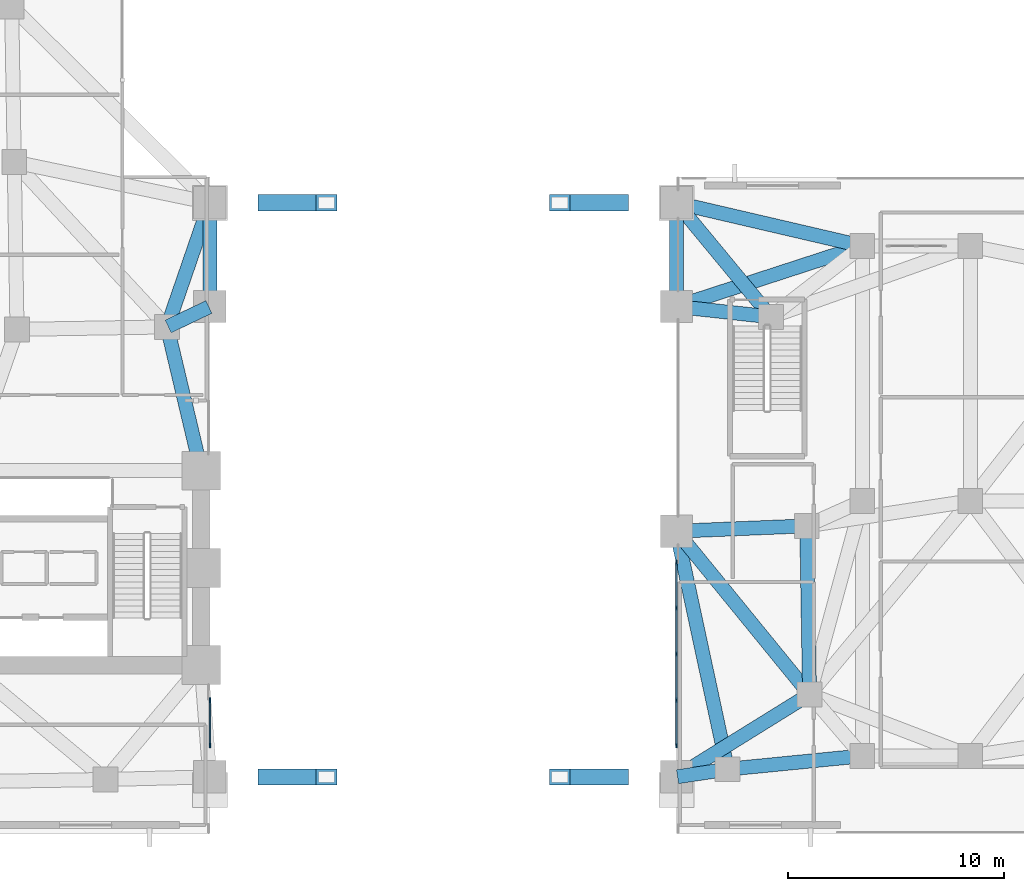
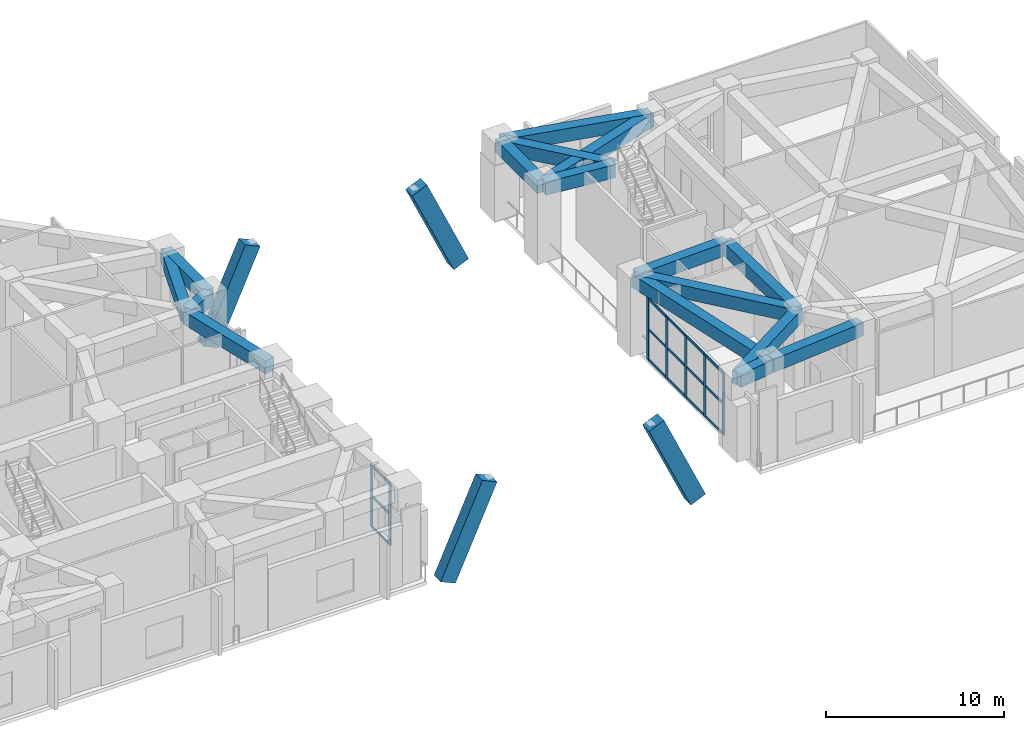
# One storey, part 2 of 18: 22 members, 20 beams, 2 elements without a shape of their own.
"""IFC4 building model written with IfcOpenShell, lengths in metres."""

from ifc_helpers import new_model, si_unit, direction, frame, origin, origin_2d, place, context, subcontext, project, spatial, rectangle, extrude, material, material_profile, profile_set, type_object, element, aggregate, save


model = new_model("IFC4")

# Units and contexts
model_context = context("Model", 3, precision=1e-05, world=origin(), true_north=direction((0.0, 1.0)))
body_context = subcontext(model_context, "Body", "Model", "MODEL_VIEW")
ifc_project = project(units=[si_unit("LENGTHUNIT", "METRE"), si_unit("AREAUNIT", "SQUARE_METRE"), si_unit("VOLUMEUNIT", "CUBIC_METRE"), si_unit("PLANEANGLEUNIT", "RADIAN"), si_unit("MASSUNIT", "GRAM", prefix="KILO")], contexts=[model_context])

# Site, building, storey
site_placement = place(None, origin())
site = spatial("IfcSite", under=ifc_project, at=site_placement, CompositionType="ELEMENT")
building_placement = place(site_placement, origin())
building = spatial("IfcBuilding", under=site, at=building_placement, Name="Gaonmaruhae Medical Tower", CompositionType="ELEMENT")
storey_placement = place(building_placement, frame((0.0, 0.0, 16.199951171875)))
storey = spatial("IfcBuildingStorey", under=building, at=storey_placement, Name="L03", CompositionType="ELEMENT", Elevation=16.199951171875)

# Beams
ifc_material_1 = material(Name="Concrete C60/75", Category="concrete")
ifc_material_profile_1 = material_profile(ifc_material_1, rectangle(XDim=0.75, YDim=1.050048828125, at=origin_2d()), Name="RCG-750x1050")
ifc_profile_set_1 = profile_set([ifc_material_profile_1], Name="Concrete C60/75")
beam_type_1 = type_object("IfcBeamType", Name="AG-01 Portal Arch Rib Girder (RCG-750x1050)", PredefinedType="BEAM", material=ifc_profile_set_1)
for number, where, z_axis, x_axis, name in (
    (1, (38.699951171875, 2.6259765625, -2.39990234375), (0.410358505794, 0.0, 0.91192428234), (0.0, 1.0, 0.0), "Portal Arch Faceted Rib S02"),
    (2, (52.199951171875, 2.6259765625, 3.60009765625), (0.410358505794, 0.0, -0.91192428234), (0.0, 1.0, 0.0), "Portal Arch Faceted Rib S07"),
    (3, (38.699951171875, 29.199951171875, -2.39990234375), (0.410358505794, 0.0, 0.91192428234), (0.0, 1.0, 0.0), "Portal Arch Faceted Rib N02"),
    (4, (52.199951171875, 29.199951171875, 3.60009765625), (0.410358505794, 0.0, -0.91192428234), (0.0, 1.0, 0.0), "Portal Arch Faceted Rib N07"),
):
    element("IfcBeam", number, at=place(storey_placement, frame(where, z_axis=z_axis, x_axis=x_axis)), inside=storey, type_object=beam_type_1, Name=name, PredefinedType="BEAM", context=body_context, shape_type="SweptSolid", body=[
        extrude(rectangle(XDim=0.75, YDim=1.050048828125, at=origin_2d()), origin(), (0.0, 0.0, 1.0), 6.57958984375),
    ])

# Curtain wall, members
ifc_material_2 = material(Name="Anodised aluminium and Low-E double glazing", Category="aluminium")
curtain_wall_type = type_object("IfcCurtainWallType", Name="CW-S1 Portal Arch Concourse Curtain Wall", PredefinedType="NOTDEFINED", material=ifc_material_2)
curtain_wall_1_placement = place(storey_placement, origin())
curtain_wall_1 = element("IfcCurtainWall", 5, at=curtain_wall_1_placement, inside=storey, type_object=curtain_wall_type, Name="L03 Curtain Wall CW-L03-S1W", PredefinedType="NOTDEFINED")
ifc_material_3 = material(Name="Anodised aluminium 6063-T6", Category="aluminium")
ifc_material_profile_2 = material_profile(ifc_material_3, rectangle(XDim=0.074951171875, YDim=0.219970703125, at=origin_2d()), Name="CWM-75x220")
ifc_profile_set_2 = profile_set([ifc_material_profile_2], Name="Anodised aluminium 6063-T6")
member_type_1 = type_object("IfcMemberType", Name="CWM-1 Heavy Atrium Curtain Wall Mullion (CWM-75x220)", PredefinedType="MULLION", material=ifc_profile_set_2)
member_1_placement = place(storey_placement, frame((36.0, 4.084228515625, 0.0), z_axis=(0.0, 0.0, 1.0), x_axis=(-1.0, 0.0, 0.0)))
member_1 = element("IfcMember", 6, at=member_1_placement, type_object=member_type_1, Name="CW-S1 mullion 1", PredefinedType="MULLION", context=body_context, shape_type="SweptSolid", body=[
    extrude(rectangle(XDim=0.074951171875, YDim=0.219970703125, at=origin_2d()), origin(), (0.0, 0.0, 1.0), 4.22998046875),
])
member_2_placement = place(storey_placement, frame((36.0, 6.179443359375, 0.0), z_axis=(0.0, 0.0, 1.0), x_axis=(-1.0, 0.0, 0.0)))
member_2 = element("IfcMember", 7, at=member_2_placement, type_object=member_type_1, Name="CW-S1 mullion 2", PredefinedType="MULLION", context=body_context, shape_type="SweptSolid", body=[
    extrude(rectangle(XDim=0.074951171875, YDim=0.219970703125, at=origin_2d()), origin(), (0.0, 0.0, 1.0), 4.22998046875),
])

curtain_wall_2_placement = place(storey_placement, origin())
curtain_wall_2 = element("IfcCurtainWall", 8, at=curtain_wall_2_placement, inside=storey, type_object=curtain_wall_type, Name="L03 Curtain Wall CW-L03-S1E", PredefinedType="NOTDEFINED")
member_3_placement = place(storey_placement, frame((57.60009765625, 4.084228515625, 0.0), z_axis=(0.0, 0.0, 1.0), x_axis=(-1.0, 0.0, 0.0)))
member_3 = element("IfcMember", 9, at=member_3_placement, type_object=member_type_1, Name="CW-S1 mullion 1", PredefinedType="MULLION", context=body_context, shape_type="SweptSolid", body=[
    extrude(rectangle(XDim=0.074951171875, YDim=0.219970703125, at=origin_2d()), origin(), (0.0, 0.0, 1.0), 4.22998046875),
])
member_4_placement = place(storey_placement, frame((57.60009765625, 6.179931640625, 0.0), z_axis=(0.0, 0.0, 1.0), x_axis=(-1.0, 0.0, 0.0)))
member_4 = element("IfcMember", 10, at=member_4_placement, type_object=member_type_1, Name="CW-S1 mullion 2", PredefinedType="MULLION", context=body_context, shape_type="SweptSolid", body=[
    extrude(rectangle(XDim=0.074951171875, YDim=0.219970703125, at=origin_2d()), origin(), (0.0, 0.0, 1.0), 4.22998046875),
])
member_5_placement = place(storey_placement, frame((57.60009765625, 8.31298828125, 0.0), z_axis=(0.0, 0.0, 1.0), x_axis=(-1.0, 0.0, 0.0)))
member_5 = element("IfcMember", 11, at=member_5_placement, type_object=member_type_1, Name="CW-S1 mullion 3", PredefinedType="MULLION", context=body_context, shape_type="SweptSolid", body=[
    extrude(rectangle(XDim=0.074951171875, YDim=0.219970703125, at=origin_2d()), origin(), (0.0, 0.0, 1.0), 4.22998046875),
])
member_6_placement = place(storey_placement, frame((57.60009765625, 10.446044921875, 0.0), z_axis=(0.0, 0.0, 1.0), x_axis=(-1.0, 0.0, 0.0)))
member_6 = element("IfcMember", 12, at=member_6_placement, type_object=member_type_1, Name="CW-S1 mullion 4", PredefinedType="MULLION", context=body_context, shape_type="SweptSolid", body=[
    extrude(rectangle(XDim=0.074951171875, YDim=0.219970703125, at=origin_2d()), origin(), (0.0, 0.0, 1.0), 4.22998046875),
])
member_7_placement = place(storey_placement, frame((57.60009765625, 12.541748046875, 0.0), z_axis=(0.0, 0.0, 1.0), x_axis=(-1.0, 0.0, 0.0)))
member_7 = element("IfcMember", 13, at=member_7_placement, type_object=member_type_1, Name="CW-S1 mullion 5", PredefinedType="MULLION", context=body_context, shape_type="SweptSolid", body=[
    extrude(rectangle(XDim=0.074951171875, YDim=0.219970703125, at=origin_2d()), origin(), (0.0, 0.0, 1.0), 4.22998046875),
])

# Member
ifc_material_profile_3 = material_profile(ifc_material_3, rectangle(XDim=0.074951171875, YDim=0.159912109375, at=origin_2d()), Name="CWT-75x160")
ifc_profile_set_3 = profile_set([ifc_material_profile_3], Name="Anodised aluminium 6063-T6")
member_type_2 = type_object("IfcMemberType", Name="CWT-1 Heavy Atrium Curtain Wall Transom (CWT-75x160)", PredefinedType="USERDEFINED", material=ifc_profile_set_3)
member_8_placement = place(storey_placement, frame((36.0, 4.12158203125, 0.03759765625), z_axis=(0.0, 1.0, 0.0), x_axis=(-1.0, 0.0, 0.0)))
member_8 = element("IfcMember", 14, at=member_8_placement, type_object=member_type_2, Name="CW-S1 transom 1.1", ObjectType="TRANSOM", PredefinedType="USERDEFINED", context=body_context, shape_type="SweptSolid", body=[
    extrude(rectangle(XDim=0.074951171875, YDim=0.159912109375, at=origin_2d()), origin(), (0.0, 0.0, 1.0), 2.0205078125),
])

member_9_placement = place(storey_placement, frame((36.0, 4.12158203125, 2.114990234375), z_axis=(0.0, 1.0, 0.0), x_axis=(-1.0, 0.0, 0.0)))
member_9 = element("IfcMember", 15, at=member_9_placement, type_object=member_type_2, Name="CW-S1 transom 1.2", ObjectType="TRANSOM", PredefinedType="USERDEFINED", context=body_context, shape_type="SweptSolid", body=[
    extrude(rectangle(XDim=0.074951171875, YDim=0.159912109375, at=origin_2d()), origin(), (0.0, 0.0, 1.0), 2.0205078125),
])

member_10_placement = place(storey_placement, frame((36.0, 4.12158203125, 4.192626953125), z_axis=(0.0, 1.0, 0.0), x_axis=(-1.0, 0.0, 0.0)))
member_10 = element("IfcMember", 16, at=member_10_placement, type_object=member_type_2, Name="CW-S1 transom 1.3", ObjectType="TRANSOM", PredefinedType="USERDEFINED", context=body_context, shape_type="SweptSolid", body=[
    extrude(rectangle(XDim=0.074951171875, YDim=0.159912109375, at=origin_2d()), origin(), (0.0, 0.0, 1.0), 2.0205078125),
])

aggregate(curtain_wall_1, [member_1, member_2, member_8, member_9, member_10])

member_11_placement = place(storey_placement, frame((57.60009765625, 4.12158203125, 0.03759765625), z_axis=(0.0, 1.0, 0.0), x_axis=(-1.0, 0.0, 0.0)))
member_11 = element("IfcMember", 17, at=member_11_placement, type_object=member_type_2, Name="CW-S1 transom 1.1", ObjectType="TRANSOM", PredefinedType="USERDEFINED", context=body_context, shape_type="SweptSolid", body=[
    extrude(rectangle(XDim=0.074951171875, YDim=0.159912109375, at=origin_2d()), origin(), (0.0, 0.0, 1.0), 2.020751953125),
])

member_12_placement = place(storey_placement, frame((57.60009765625, 4.12158203125, 2.114990234375), z_axis=(0.0, 1.0, 0.0), x_axis=(-1.0, 0.0, 0.0)))
member_12 = element("IfcMember", 18, at=member_12_placement, type_object=member_type_2, Name="CW-S1 transom 1.2", ObjectType="TRANSOM", PredefinedType="USERDEFINED", context=body_context, shape_type="SweptSolid", body=[
    extrude(rectangle(XDim=0.074951171875, YDim=0.159912109375, at=origin_2d()), origin(), (0.0, 0.0, 1.0), 2.020751953125),
])

member_13_placement = place(storey_placement, frame((57.60009765625, 4.12158203125, 4.192626953125), z_axis=(0.0, 1.0, 0.0), x_axis=(-1.0, 0.0, 0.0)))
member_13 = element("IfcMember", 19, at=member_13_placement, type_object=member_type_2, Name="CW-S1 transom 1.3", ObjectType="TRANSOM", PredefinedType="USERDEFINED", context=body_context, shape_type="SweptSolid", body=[
    extrude(rectangle(XDim=0.074951171875, YDim=0.159912109375, at=origin_2d()), origin(), (0.0, 0.0, 1.0), 2.020751953125),
])

member_14_placement = place(storey_placement, frame((57.60009765625, 6.21728515625, 0.03759765625), z_axis=(0.0, 1.0, 0.0), x_axis=(-1.0, 0.0, 0.0)))
member_14 = element("IfcMember", 20, at=member_14_placement, type_object=member_type_2, Name="CW-S1 transom 2.1", ObjectType="TRANSOM", PredefinedType="USERDEFINED", context=body_context, shape_type="SweptSolid", body=[
    extrude(rectangle(XDim=0.074951171875, YDim=0.159912109375, at=origin_2d()), origin(), (0.0, 0.0, 1.0), 2.05810546875),
])

member_15_placement = place(storey_placement, frame((57.60009765625, 6.21728515625, 2.114990234375), z_axis=(0.0, 1.0, 0.0), x_axis=(-1.0, 0.0, 0.0)))
member_15 = element("IfcMember", 21, at=member_15_placement, type_object=member_type_2, Name="CW-S1 transom 2.2", ObjectType="TRANSOM", PredefinedType="USERDEFINED", context=body_context, shape_type="SweptSolid", body=[
    extrude(rectangle(XDim=0.074951171875, YDim=0.159912109375, at=origin_2d()), origin(), (0.0, 0.0, 1.0), 2.05810546875),
])

member_16_placement = place(storey_placement, frame((57.60009765625, 6.21728515625, 4.192626953125), z_axis=(0.0, 1.0, 0.0), x_axis=(-1.0, 0.0, 0.0)))
member_16 = element("IfcMember", 22, at=member_16_placement, type_object=member_type_2, Name="CW-S1 transom 2.3", ObjectType="TRANSOM", PredefinedType="USERDEFINED", context=body_context, shape_type="SweptSolid", body=[
    extrude(rectangle(XDim=0.074951171875, YDim=0.159912109375, at=origin_2d()), origin(), (0.0, 0.0, 1.0), 2.05810546875),
])

member_17_placement = place(storey_placement, frame((57.60009765625, 8.3505859375, 0.03759765625), z_axis=(0.0, 1.0, 0.0), x_axis=(-1.0, 0.0, 0.0)))
member_17 = element("IfcMember", 23, at=member_17_placement, type_object=member_type_2, Name="CW-S1 transom 3.1", ObjectType="TRANSOM", PredefinedType="USERDEFINED", context=body_context, shape_type="SweptSolid", body=[
    extrude(rectangle(XDim=0.074951171875, YDim=0.159912109375, at=origin_2d()), origin(), (0.0, 0.0, 1.0), 2.05810546875),
])

member_18_placement = place(storey_placement, frame((57.60009765625, 8.3505859375, 2.114990234375), z_axis=(0.0, 1.0, 0.0), x_axis=(-1.0, 0.0, 0.0)))
member_18 = element("IfcMember", 24, at=member_18_placement, type_object=member_type_2, Name="CW-S1 transom 3.2", ObjectType="TRANSOM", PredefinedType="USERDEFINED", context=body_context, shape_type="SweptSolid", body=[
    extrude(rectangle(XDim=0.074951171875, YDim=0.159912109375, at=origin_2d()), origin(), (0.0, 0.0, 1.0), 2.05810546875),
])

member_19_placement = place(storey_placement, frame((57.60009765625, 8.3505859375, 4.192626953125), z_axis=(0.0, 1.0, 0.0), x_axis=(-1.0, 0.0, 0.0)))
member_19 = element("IfcMember", 25, at=member_19_placement, type_object=member_type_2, Name="CW-S1 transom 3.3", ObjectType="TRANSOM", PredefinedType="USERDEFINED", context=body_context, shape_type="SweptSolid", body=[
    extrude(rectangle(XDim=0.074951171875, YDim=0.159912109375, at=origin_2d()), origin(), (0.0, 0.0, 1.0), 2.05810546875),
])

member_20_placement = place(storey_placement, frame((57.60009765625, 10.483642578125, 0.03759765625), z_axis=(0.0, 1.0, 0.0), x_axis=(-1.0, 0.0, 0.0)))
member_20 = element("IfcMember", 26, at=member_20_placement, type_object=member_type_2, Name="CW-S1 transom 4.1", ObjectType="TRANSOM", PredefinedType="USERDEFINED", context=body_context, shape_type="SweptSolid", body=[
    extrude(rectangle(XDim=0.074951171875, YDim=0.159912109375, at=origin_2d()), origin(), (0.0, 0.0, 1.0), 2.020751953125),
])

member_21_placement = place(storey_placement, frame((57.60009765625, 10.483642578125, 2.114990234375), z_axis=(0.0, 1.0, 0.0), x_axis=(-1.0, 0.0, 0.0)))
member_21 = element("IfcMember", 27, at=member_21_placement, type_object=member_type_2, Name="CW-S1 transom 4.2", ObjectType="TRANSOM", PredefinedType="USERDEFINED", context=body_context, shape_type="SweptSolid", body=[
    extrude(rectangle(XDim=0.074951171875, YDim=0.159912109375, at=origin_2d()), origin(), (0.0, 0.0, 1.0), 2.020751953125),
])

member_22_placement = place(storey_placement, frame((57.60009765625, 10.483642578125, 4.192626953125), z_axis=(0.0, 1.0, 0.0), x_axis=(-1.0, 0.0, 0.0)))
member_22 = element("IfcMember", 28, at=member_22_placement, type_object=member_type_2, Name="CW-S1 transom 4.3", ObjectType="TRANSOM", PredefinedType="USERDEFINED", context=body_context, shape_type="SweptSolid", body=[
    extrude(rectangle(XDim=0.074951171875, YDim=0.159912109375, at=origin_2d()), origin(), (0.0, 0.0, 1.0), 2.020751953125),
])

aggregate(curtain_wall_2, [member_3, member_4, member_5, member_6, member_7, member_11, member_12, member_13, member_14, member_15, member_16, member_17, member_18, member_19, member_20, member_21, member_22])

# Beams
ifc_material_4 = material(Name="Concrete C50/60", Category="concrete")
ifc_material_profile_4 = material_profile(ifc_material_4, rectangle(XDim=0.64990234375, YDim=0.89990234375, at=origin_2d()), Name="RCG-650x900")
ifc_profile_set_4 = profile_set([ifc_material_profile_4], Name="Concrete C50/60")
beam_type_2 = type_object("IfcBeamType", Name="RG-01 Podium Primary RC Girder (RCG-650x900)", PredefinedType="BEAM", material=ifc_profile_set_4)
beam_1_placement = place(storey_placement, frame((57.6494140625, 2.633544921875, 4.699951171875), z_axis=(0.988739394413, 0.149647619213, 0.0), x_axis=(-0.149647619213, 0.988739394413, 0.0)))
element("IfcBeam", 29, at=beam_1_placement, inside=storey, type_object=beam_type_2, Name="L03 Beam BM-L03-PG003", PredefinedType="BEAM", context=body_context, shape_type="SweptSolid", body=[
    extrude(rectangle(XDim=0.64990234375, YDim=0.89990234375, at=origin_2d()), origin(), (0.0, 0.0, 1.0), 2.292236328125),
])
beam_2_placement = place(storey_placement, frame((57.642578125, 2.65234375, 4.699951171875), z_axis=(0.849690298429, 0.527282084614, 0.0), x_axis=(-0.527282084614, 0.849690298429, 0.0)))
element("IfcBeam", 30, at=beam_2_placement, inside=storey, type_object=beam_type_2, Name="L03 Beam BM-L03-PG004", PredefinedType="BEAM", context=body_context, shape_type="SweptSolid", body=[
    extrude(rectangle(XDim=0.64990234375, YDim=0.89990234375, at=origin_2d()), origin(), (0.0, 0.0, 1.0), 7.147705078125),
])
beam_3_placement = place(storey_placement, frame((57.64990234375, 14.001953125, 4.699951171875), z_axis=(0.999165142421, 0.04085361881, 0.0), x_axis=(-0.04085361881, 0.999165142421, 0.0)))
element("IfcBeam", 31, at=beam_3_placement, inside=storey, type_object=beam_type_2, Name="L03 Beam BM-L03-PG005", PredefinedType="BEAM", context=body_context, shape_type="SweptSolid", body=[
    extrude(rectangle(XDim=0.64990234375, YDim=0.89990234375, at=origin_2d()), origin(), (0.0, 0.0, 1.0), 5.93408203125),
])
beam_4_placement = place(storey_placement, frame((57.631591796875, 13.961181640625, 4.699951171875), z_axis=(0.631959132542, -0.77500171277, 0.0), x_axis=(0.77500171277, 0.631959132542, 0.0)))
element("IfcBeam", 32, at=beam_4_placement, inside=storey, type_object=beam_type_2, Name="L03 Beam BM-L03-PG006", PredefinedType="BEAM", context=body_context, shape_type="SweptSolid", body=[
    extrude(rectangle(XDim=0.64990234375, YDim=0.89990234375, at=origin_2d()), origin(), (0.0, 0.0, 1.0), 9.64501953125),
])
beam_5_placement = place(storey_placement, frame((35.954833984375, 24.37841796875, 4.699951171875), z_axis=(-0.902607868555, -0.430463744841, 0.0), x_axis=(0.430463744841, -0.902607868555, 0.0)))
element("IfcBeam", 33, at=beam_5_placement, inside=storey, type_object=beam_type_2, Name="L03 Beam BM-L03-PG007", PredefinedType="BEAM", context=body_context, shape_type="SweptSolid", body=[
    extrude(rectangle(XDim=0.64990234375, YDim=0.89990234375, at=origin_2d()), origin(), (0.0, 0.0, 1.0), 2.091064453125),
])
beam_6_placement = place(storey_placement, frame((36.0, 24.449951171875, 4.699951171875), z_axis=(0.0, 1.0, 0.0), x_axis=(-1.0, 0.0, 0.0)))
element("IfcBeam", 34, at=beam_6_placement, inside=storey, type_object=beam_type_2, Name="L03 Beam BM-L03-PG008", PredefinedType="BEAM", context=body_context, shape_type="SweptSolid", body=[
    extrude(rectangle(XDim=0.64990234375, YDim=0.89990234375, at=origin_2d()), origin(), (0.0, 0.0, 1.0), 4.699951171875),
])
beam_7_placement = place(storey_placement, frame((57.649658203125, 24.39453125, 4.699951171875), z_axis=(0.994019545115, -0.109202307341, 0.0), x_axis=(0.109202307341, 0.994019545115, 0.0)))
element("IfcBeam", 35, at=beam_7_placement, inside=storey, type_object=beam_type_2, Name="L03 Beam BM-L03-PG009", PredefinedType="BEAM", context=body_context, shape_type="SweptSolid", body=[
    extrude(rectangle(XDim=0.64990234375, YDim=0.89990234375, at=origin_2d()), origin(), (0.0, 0.0, 1.0), 4.294677734375),
])
beam_8_placement = place(storey_placement, frame((57.60009765625, 24.449951171875, 4.699951171875), z_axis=(0.0, 1.0, 0.0), x_axis=(-1.0, 0.0, 0.0)))
element("IfcBeam", 36, at=beam_8_placement, inside=storey, type_object=beam_type_2, Name="L03 Beam BM-L03-PG010", PredefinedType="BEAM", context=body_context, shape_type="SweptSolid", body=[
    extrude(rectangle(XDim=0.64990234375, YDim=0.89990234375, at=origin_2d()), origin(), (0.0, 0.0, 1.0), 4.699951171875),
])
beam_9_placement = place(storey_placement, frame((35.983642578125, 29.15283203125, 4.699951171875), z_axis=(-0.325578822882, -0.945514902099, 0.0), x_axis=(0.945514902099, -0.325578822882, 0.0)))
element("IfcBeam", 37, at=beam_9_placement, inside=storey, type_object=beam_type_2, Name="L03 Beam BM-L03-PG011", PredefinedType="BEAM", context=body_context, shape_type="SweptSolid", body=[
    extrude(rectangle(XDim=0.64990234375, YDim=0.89990234375, at=origin_2d()), origin(), (0.0, 0.0, 1.0), 5.97412109375),
])
beam_10_placement = place(storey_placement, frame((57.6318359375, 29.161376953125, 4.699951171875), z_axis=(0.63748483708, -0.770462901439, 0.0), x_axis=(0.770462901439, 0.63748483708, 0.0)))
element("IfcBeam", 38, at=beam_10_placement, inside=storey, type_object=beam_type_2, Name="L03 Beam BM-L03-PG013", PredefinedType="BEAM", context=body_context, shape_type="SweptSolid", body=[
    extrude(rectangle(XDim=0.64990234375, YDim=0.89990234375, at=origin_2d()), origin(), (0.0, 0.0, 1.0), 6.752685546875),
])
beam_11_placement = place(storey_placement, frame((57.648681640625, 29.188720703125, 4.699951171875), z_axis=(0.974009892436, -0.226505473306, 0.0), x_axis=(0.226505473306, 0.974009892436, 0.0)))
element("IfcBeam", 39, at=beam_11_placement, inside=storey, type_object=beam_type_2, Name="L03 Beam BM-L03-PG014", PredefinedType="BEAM", context=body_context, shape_type="SweptSolid", body=[
    extrude(rectangle(XDim=0.64990234375, YDim=0.89990234375, at=origin_2d()), origin(), (0.0, 0.0, 1.0), 8.7294921875),
])
beam_12_placement = place(storey_placement, frame((60.01513671875, 2.989013671875, 4.699951171875), z_axis=(0.995157611047, 0.098292060592, 0.0), x_axis=(-0.098292060592, 0.995157611047, 0.0)))
element("IfcBeam", 40, at=beam_12_placement, inside=storey, type_object=beam_type_2, Name="L03 Beam BM-L03-PG023", PredefinedType="BEAM", context=body_context, shape_type="SweptSolid", body=[
    extrude(rectangle(XDim=0.64990234375, YDim=0.89990234375, at=origin_2d()), origin(), (0.0, 0.0, 1.0), 6.164794921875),
])
beam_13_placement = place(storey_placement, frame((59.954833984375, 3.032958984375, 4.699951171875), z_axis=(-0.209924731401, 0.977717549779, 0.0), x_axis=(-0.977717549779, -0.209924731401, 0.0)))
element("IfcBeam", 41, at=beam_13_placement, inside=storey, type_object=beam_type_2, Name="L03 Beam BM-L03-PG024", PredefinedType="BEAM", context=body_context, shape_type="SweptSolid", body=[
    extrude(rectangle(XDim=0.64990234375, YDim=0.89990234375, at=origin_2d()), origin(), (0.0, 0.0, 1.0), 11.1669921875),
])
beam_14_placement = place(storey_placement, frame((63.757568359375, 6.49755859375, 4.699951171875), z_axis=(-0.016582992443, 0.999862492727, 0.0), x_axis=(-0.999862492727, -0.016582992443, 0.0)))
element("IfcBeam", 42, at=beam_14_placement, inside=storey, type_object=beam_type_2, Name="L03 Beam BM-L03-PG026", PredefinedType="BEAM", context=body_context, shape_type="SweptSolid", body=[
    extrude(rectangle(XDim=0.64990234375, YDim=0.89990234375, at=origin_2d()), origin(), (0.0, 0.0, 1.0), 7.69970703125),
])
beam_15_placement = place(storey_placement, frame((34.033935546875, 23.408203125, 4.699951171875), z_axis=(0.230587307936, -0.973051639647, 0.0), x_axis=(0.973051639647, 0.230587307936, 0.0)))
element("IfcBeam", 43, at=beam_15_placement, inside=storey, type_object=beam_type_2, Name="L03 Beam BM-L03-PG031", PredefinedType="BEAM", context=body_context, shape_type="SweptSolid", body=[
    extrude(rectangle(XDim=0.64990234375, YDim=0.89990234375, at=origin_2d()), origin(), (0.0, 0.0, 1.0), 6.7412109375),
])
beam_16_placement = place(storey_placement, frame((66.15234375, 27.1845703125, 4.699951171875), z_axis=(-0.950871057756, -0.309587195346, 0.0), x_axis=(0.309587195346, -0.950871057756, 0.0)))
element("IfcBeam", 44, at=beam_16_placement, inside=storey, type_object=beam_type_2, Name="L03 Beam BM-L03-PG067", PredefinedType="BEAM", context=body_context, shape_type="SweptSolid", body=[
    extrude(rectangle(XDim=0.64990234375, YDim=0.89990234375, at=origin_2d()), origin(), (0.0, 0.0, 1.0), 8.9443359375),
])

save(model, "model.ifc")
